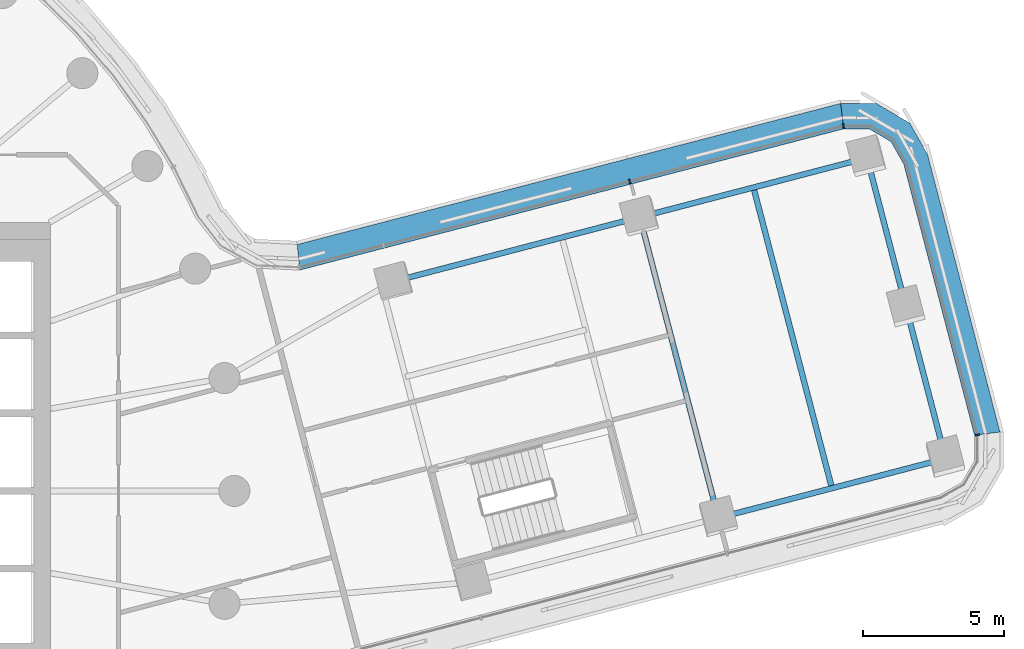
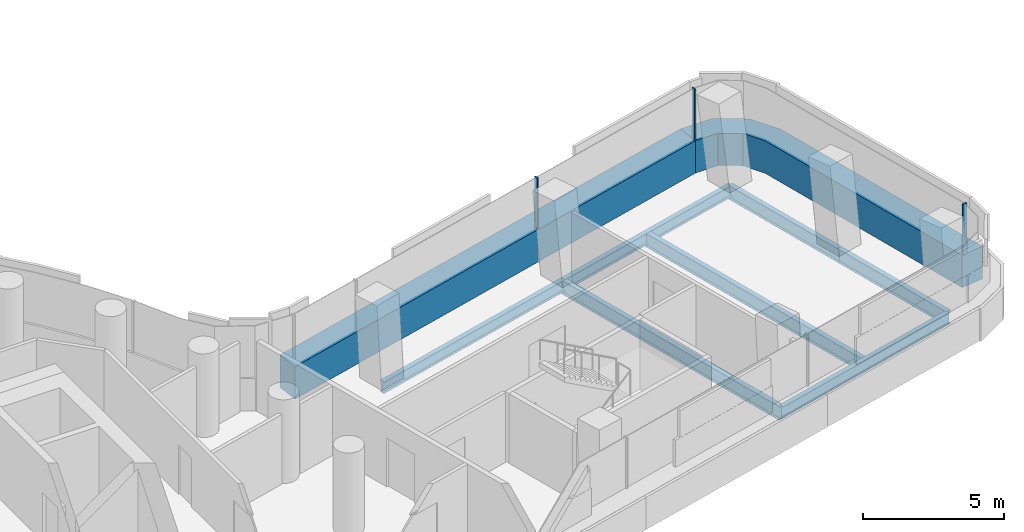
# One storey, part 12 of 30: 7 beams, 5 members, 2 elements without a shape of their own.
"""IFC4 building model written with IfcOpenShell, lengths in metres."""

from ifc_helpers import new_model, si_unit, direction, frame, origin, origin_2d, place, context, subcontext, project, spatial, polyline, rectangle, i_section, outline, extrude, material, layer, layer_set, material_profile, profile_set, type_object, element, aggregate, save


model = new_model("IFC4")

# Units and contexts
model_context = context("Model", 3, precision=1e-05, world=origin(), true_north=direction((0.0, 1.0)))
body_context = subcontext(model_context, "Body", "Model", "MODEL_VIEW")
ifc_project = project(units=[si_unit("LENGTHUNIT", "METRE"), si_unit("AREAUNIT", "SQUARE_METRE"), si_unit("VOLUMEUNIT", "CUBIC_METRE"), si_unit("PLANEANGLEUNIT", "RADIAN"), si_unit("MASSUNIT", "GRAM", prefix="KILO")], contexts=[model_context])

# Site, building, storey
site_placement = place(None, origin())
site = spatial("IfcSite", under=ifc_project, at=site_placement, CompositionType="ELEMENT")
building_placement = place(site_placement, origin())
building = spatial("IfcBuilding", under=site, at=building_placement, Name="Tamarind Cross Interchange Tower", CompositionType="ELEMENT")
storey_placement = place(building_placement, frame((0.0, 0.0, 87.25)))
storey = spatial("IfcBuildingStorey", under=building, at=storey_placement, Name="L20", CompositionType="ELEMENT", Elevation=87.25)

# Beams
ifc_material_1 = material(Name="Steel Q355B", Category="steel")
ifc_material_profile_1 = material_profile(ifc_material_1, i_section(OverallWidth=0.198974609375, OverallDepth=0.49609375, WebThickness=0.009033203125, FlangeThickness=0.013916015625, FilletRadius=0.012939453125, at=origin_2d()), Name="HN 496x199x9x14")
ifc_profile_set_1 = profile_set([ifc_material_profile_1], Name="Steel Q355B")
beam_type_1 = type_object("IfcBeamType", Name="Composite beam HN 496x199x9x14 Q355B", PredefinedType="BEAM", material=ifc_profile_set_1)
for number, where, z_axis, x_axis, name in (
    (1, (48.169677734375, 1.145751953125, -0.387939453125), (-0.967592310921, -0.252517563443, 0.0), (0.252517563443, -0.967592310921, 0.0), "Beam E-edgeem5"),
    (2, (45.391845703125, 11.789306640625, -0.387939453125), (-0.967585132984, -0.252545066132, 0.0), (0.252545066132, -0.967585132984, 0.0), "Beam E-edgeep2"),
):
    element("IfcBeam", number, at=place(storey_placement, frame(where, z_axis=z_axis, x_axis=x_axis)), inside=storey, type_object=beam_type_1, Name=name, PredefinedType="BEAM", context=body_context, shape_type="SweptSolid", body=[
        extrude(i_section(OverallWidth=0.198974609375, OverallDepth=0.49609375, WebThickness=0.009033203125, FlangeThickness=0.013916015625, FilletRadius=0.012939453125, at=origin_2d()), origin(), (0.0, 0.0, 1.0), 8.310791015625),
    ])
beam_placement = place(storey_placement, frame((37.350341796875, 9.6904296875, -0.387939453125), z_axis=(-0.967590476102, -0.252524593962, 0.0), x_axis=(0.252524593962, -0.967590476102, 0.0)))
element("IfcBeam", 3, at=beam_placement, inside=storey, type_object=beam_type_1, Name="Beam E-edgeep3", PredefinedType="BEAM", context=body_context, shape_type="SweptSolid", body=[
    extrude(i_section(OverallWidth=0.198974609375, OverallDepth=0.49609375, WebThickness=0.009033203125, FlangeThickness=0.013916015625, FilletRadius=0.012939453125, at=origin_2d()), origin(), (0.0, 0.0, 1.0), 9.0),
])
ifc_material_profile_2 = material_profile(ifc_material_1, i_section(OverallWidth=0.199951171875, OverallDepth=0.60009765625, WebThickness=0.010986328125, FlangeThickness=0.01708984375, FilletRadius=0.012939453125, at=origin_2d()), Name="HN 600x200x11x17")
ifc_profile_set_2 = profile_set([ifc_material_profile_2], Name="Steel Q355B")
beam_type_2 = type_object("IfcBeamType", Name="Composite beam HN 600x200x11x17 Q355B", PredefinedType="BEAM", material=ifc_profile_set_2)
for number, where, z_axis, x_axis, name in (
    (4, (48.169677734375, 1.145751953125, -0.43994140625), (-0.252528507563, 0.967589454711, 0.0), (-0.967589454711, -0.252528507563, 0.0), "Beam E-tip0"),
    (5, (46.78076171875, 6.467529296875, -0.43994140625), (-0.252528507563, 0.967589454711, 0.0), (-0.967589454711, -0.252528507563, 0.0), "Beam E-tip1"),
):
    element("IfcBeam", number, at=place(storey_placement, frame(where, z_axis=z_axis, x_axis=x_axis)), inside=storey, type_object=beam_type_2, Name=name, PredefinedType="BEAM", context=body_context, shape_type="SweptSolid", body=[
        extrude(i_section(OverallWidth=0.199951171875, OverallDepth=0.60009765625, WebThickness=0.010986328125, FlangeThickness=0.01708984375, FilletRadius=0.012939453125, at=origin_2d()), origin(), (0.0, 0.0, 1.0), 5.5),
    ])
for number, where, z_axis, x_axis, name in (
    (6, (40.128173828125, -0.952880859375, -0.43994140625), (-0.252533930755, 0.967588039311, 0.0), (-0.967588039311, -0.252533930755, 0.0), "Beam E-x393"),
    (7, (44.14892578125, 0.096435546875, -0.43994140625), (-0.252533930755, 0.967588039311, 0.0), (-0.967588039311, -0.252533930755, 0.0), "Beam E-x435"),
):
    element("IfcBeam", number, at=place(storey_placement, frame(where, z_axis=z_axis, x_axis=x_axis)), inside=storey, type_object=beam_type_2, Name=name, PredefinedType="BEAM", context=body_context, shape_type="SweptSolid", body=[
        extrude(i_section(OverallWidth=0.199951171875, OverallDepth=0.60009765625, WebThickness=0.010986328125, FlangeThickness=0.01708984375, FilletRadius=0.012939453125, at=origin_2d()), origin(), (0.0, 0.0, 1.0), 10.999755859375),
    ])

# Curtain wall, member
ifc_material_2 = material(Name="Aluminium 6063-T6", Category="aluminium")
ifc_layer = layer(ifc_material_2, 0.159912109375)
ifc_layer_set = layer_set([ifc_layer], Name="Aluminium 6063-T6")
curtain_wall_type = type_object("IfcCurtainWallType", Name="Office curtain wall, 9.0 m bays", PredefinedType="NOTDEFINED", material=ifc_layer_set)
curtain_wall_1_placement = place(storey_placement, origin())
curtain_wall_1 = element("IfcCurtainWall", 8, at=curtain_wall_1_placement, inside=storey, type_object=curtain_wall_type, Name="CWS-L20-12", PredefinedType="NOTDEFINED")
ifc_material_3 = material(Name="Aluminium and insulated spandrel panel", Category="aluminium")
member_type_1 = type_object("IfcMemberType", Name="Floor-edge blade transom", PredefinedType="USERDEFINED", material=ifc_material_3)
member_1_placement = place(storey_placement, origin())
member_1 = element("IfcMember", 9, at=member_1_placement, type_object=member_type_1, Name="CWT-L20-12", ObjectType="TRANSOM", PredefinedType="USERDEFINED", context=body_context, shape_type="SweptSolid", body=[
    extrude(outline(polyline([(49.194580078125, 1.970703125), (46.689208984375, 11.5703125), (46.23681640625, 12.365966796875), (45.482177734375, 12.80810546875), (44.566650390625, 12.814208984375), (44.45458984375, 13.71484375), (45.729248046875, 13.70654296875), (46.89990234375, 13.0205078125), (47.5302734375, 11.912109375), (50.095458984375, 2.08349609375), (49.194580078125, 1.970703125)])), origin(), (0.0, 0.0, 1.0), 1.39990234375),
])

curtain_wall_2_placement = place(storey_placement, origin())
curtain_wall_2 = element("IfcCurtainWall", 10, at=curtain_wall_2_placement, inside=storey, type_object=curtain_wall_type, Name="CWS-L20-13", PredefinedType="NOTDEFINED")
member_2_placement = place(storey_placement, origin())
member_2 = element("IfcMember", 11, at=member_2_placement, type_object=member_type_1, Name="CWT-L20-13", ObjectType="TRANSOM", PredefinedType="USERDEFINED", context=body_context, shape_type="SweptSolid", body=[
    extrude(outline(polyline([(44.566650390625, 12.814208984375), (25.316650390625, 7.81689453125), (25.220703125, 8.721923828125), (44.45458984375, 13.71484375), (44.566650390625, 12.814208984375)])), origin(), (0.0, 0.0, 1.0), 1.39990234375),
])

# Member
ifc_material_profile_3 = material_profile(ifc_material_2, rectangle(XDim=0.06005859375, YDim=0.159912109375, at=origin_2d()), Name="Mullion CW1")
ifc_profile_set_3 = profile_set([ifc_material_profile_3], Name="Aluminium 6063-T6")
member_type_2 = type_object("IfcMemberType", Name="Mullion CW1", PredefinedType="MULLION", material=ifc_profile_set_3)
member_3_placement = place(storey_placement, frame((49.294677734375, 1.9833984375, 1.39990234375), z_axis=(0.0, 0.0, 1.0), x_axis=(-0.124072552096, 0.992273148793, 0.0)))
member_3 = element("IfcMember", 12, at=member_3_placement, type_object=member_type_2, Name="CWM-L20-12-00", PredefinedType="MULLION", context=body_context, shape_type="SweptSolid", body=[
    extrude(rectangle(XDim=0.06005859375, YDim=0.159912109375, at=origin_2d()), origin(), (0.0, 0.0, 1.0), 2.210205078125),
])

aggregate(curtain_wall_1, [member_3, member_1])

member_4_placement = place(storey_placement, frame((44.55419921875, 12.914306640625, 1.39990234375), z_axis=(0.0, 0.0, 1.0), x_axis=(-0.99235381854, -0.123425681404, 0.0)))
member_4 = element("IfcMember", 13, at=member_4_placement, type_object=member_type_2, Name="CWM-L20-13-00", PredefinedType="MULLION", context=body_context, shape_type="SweptSolid", body=[
    extrude(rectangle(XDim=0.06005859375, YDim=0.159912109375, at=origin_2d()), origin(), (0.0, 0.0, 1.0), 2.210205078125),
])

member_5_placement = place(storey_placement, frame((36.992431640625, 10.951171875, 1.39990234375), z_axis=(0.0, 0.0, 1.0), x_axis=(-0.967917811763, -0.251267008723, 0.0)))
member_5 = element("IfcMember", 14, at=member_5_placement, type_object=member_type_2, Name="CWM-L20-13-01", PredefinedType="MULLION", context=body_context, shape_type="SweptSolid", body=[
    extrude(rectangle(XDim=0.06005859375, YDim=0.159912109375, at=origin_2d()), origin(), (0.0, 0.0, 1.0), 2.210205078125),
])

aggregate(curtain_wall_2, [member_4, member_5, member_2])

save(model, "model.ifc")
